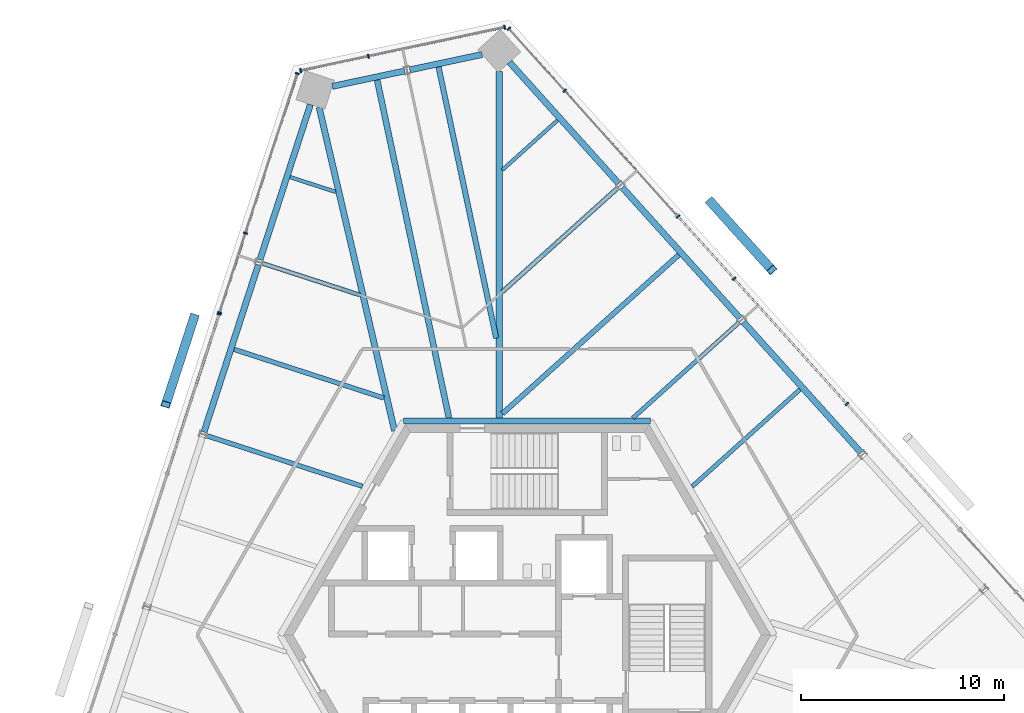
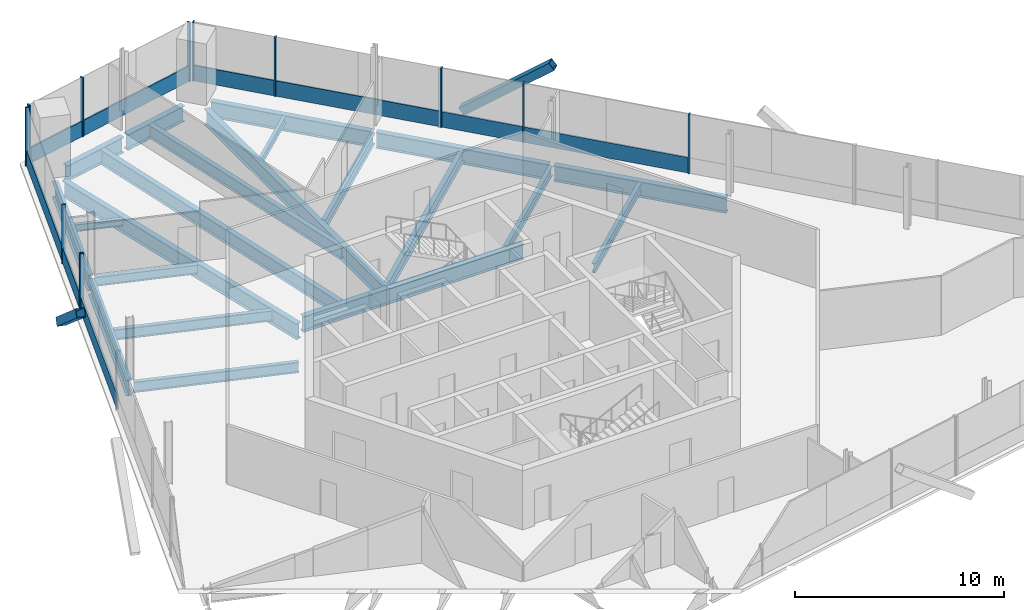
# One storey, part 7 of 15: 23 members, 21 beams, 5 elements without a shape of their own.
"""IFC4 building model written with IfcOpenShell, lengths in metres."""

from ifc_helpers import new_model, si_unit, direction, frame, origin, origin_2d, place, context, subcontext, project, spatial, rectangle, hollow_rectangle, i_section, extrude, source, transform, mapped, material, material_profile, profile_set, type_object, element, aggregate, save


model = new_model("IFC4")

# Units and contexts
model_context = context("Model", 3, precision=1e-05, world=origin(), true_north=direction((0.0, 1.0)))
body_context = subcontext(model_context, "Body", "Model", "MODEL_VIEW")
ifc_project = project(units=[si_unit("LENGTHUNIT", "METRE"), si_unit("AREAUNIT", "SQUARE_METRE"), si_unit("VOLUMEUNIT", "CUBIC_METRE"), si_unit("PLANEANGLEUNIT", "RADIAN"), si_unit("MASSUNIT", "GRAM", prefix="KILO")], contexts=[model_context])

# Site, building, storey
site_placement = place(None, origin())
site = spatial("IfcSite", under=ifc_project, at=site_placement, CompositionType="ELEMENT")
building_placement = place(site_placement, origin())
building = spatial("IfcBuilding", under=site, at=building_placement, Name="Triune Harvest Tower", CompositionType="ELEMENT")
storey_placement = place(building_placement, frame((0.0, 0.0, 270.300048828125)))
storey = spatial("IfcBuildingStorey", under=building, at=storey_placement, Name="L71", CompositionType="ELEMENT", Elevation=270.300048828125)

# Beams
ifc_material_1 = material(Name="Steel ASTM A992 Gr 50", Category="steel")
ifc_material_profile_1 = material_profile(ifc_material_1, i_section(OverallWidth=0.3046875, OverallDepth=0.914306640625, WebThickness=0.0166015625, FlangeThickness=0.02587890625, at=origin_2d()), Name="W36x160")
ifc_profile_set_1 = profile_set([ifc_material_profile_1], Name="Steel ASTM A992 Gr 50")
beam_type_1 = type_object("IfcBeamType", Name="CG-1 Core ring girder W36x160", PredefinedType="BEAM", material=ifc_profile_set_1)
shared_shape_1 = source(origin(), body_context, "Body", "SweptSolid", [
    extrude(i_section(OverallWidth=0.3046875, OverallDepth=0.914306640625, WebThickness=0.0166015625, FlangeThickness=0.02587890625, at=origin_2d()), origin(), (0.0, 0.0, 1.0), 12.17578125),
])
beam_1_placement = place(storey_placement, frame((6.087890625, 10.544677734375, -0.6171875), z_axis=(-1.0, 0.0, 0.0), x_axis=(0.0, -1.0, 0.0)))
element("IfcBeam", 1, at=beam_1_placement, inside=storey, type_object=beam_type_1, Name="beam/L71/CG2", PredefinedType="BEAM", context=body_context, shape_type="MappedRepresentation", body=[
    mapped(shared_shape_1, transform((0.0, 0.0, 0.0), scale=1.0)),
])
ifc_material_2 = material(Name="Steel ASTM A992 Gr 50", Category="steel")
ifc_material_profile_2 = material_profile(ifc_material_2, i_section(OverallWidth=0.3046875, OverallDepth=0.914306640625, WebThickness=0.0166015625, FlangeThickness=0.02587890625, at=origin_2d()), Name="W36x160")
ifc_profile_set_2 = profile_set([ifc_material_profile_2], Name="Steel ASTM A992 Gr 50")
beam_type_2 = type_object("IfcBeamType", Name="SB-1 Spandrel beam W36x160", PredefinedType="SPANDREL", material=ifc_profile_set_2)
shared_shape_2 = source(origin(), body_context, "Body", "SweptSolid", [
    extrude(i_section(OverallWidth=0.3046875, OverallDepth=0.914306640625, WebThickness=0.0166015625, FlangeThickness=0.02587890625, at=origin_2d()), origin(), (0.0, 0.0, 1.0), 8.0498046875),
])
for number, where, z_axis, x_axis, name in (
    (2, (4.511474609375, 22.25537109375, -0.6171875), (-0.669152382485, 0.743125217588, 0.0), (-0.743125217588, -0.669152382485, 0.0), "beam/L71/SB5"),
    (3, (-10.685791015625, 26.152099609375, -0.6171875), (-0.30902160762, -0.951055017348, 0.0), (0.951055017348, -0.30902160762, 0.0), "beam/L71/SB8"),
):
    element("IfcBeam", number, at=place(storey_placement, frame(where, z_axis=z_axis, x_axis=x_axis)), inside=storey, type_object=beam_type_2, Name=name, PredefinedType="SPANDREL", context=body_context, shape_type="MappedRepresentation", body=[
        mapped(shared_shape_2, transform((0.0, 0.0, 0.0), scale=1.0)),
    ])
shared_shape_3 = source(origin(), body_context, "Body", "SweptSolid", [
    extrude(i_section(OverallWidth=0.3046875, OverallDepth=0.914306640625, WebThickness=0.0166015625, FlangeThickness=0.02587890625, at=origin_2d()), origin(), (0.0, 0.0, 1.0), 8.671630859375),
])
beam_2_placement = place(storey_placement, frame((16.45947265625, 8.985595703125, -0.6171875), z_axis=(-0.669129593336, 0.743145737606, 0.0), x_axis=(-0.743145737606, -0.669129593336, 0.0)))
element("IfcBeam", 4, at=beam_2_placement, inside=storey, type_object=beam_type_2, Name="beam/L71/SB3", PredefinedType="SPANDREL", context=body_context, shape_type="MappedRepresentation", body=[
    mapped(shared_shape_3, transform((0.0, 0.0, 0.0), scale=1.0)),
])
shared_shape_4 = source(origin(), body_context, "Body", "SweptSolid", [
    extrude(i_section(OverallWidth=0.3046875, OverallDepth=0.914306640625, WebThickness=0.0166015625, FlangeThickness=0.02587890625, at=origin_2d()), origin(), (0.0, 0.0, 1.0), 8.67138671875),
])
for number, where, z_axis, x_axis, name in (
    (5, (10.4853515625, 15.62060546875, -0.6171875), (-0.669128044683, 0.743147132013, 0.0), (-0.743147132013, -0.669128044683, 0.0), "beam/L71/SB4"),
    (6, (-13.252685546875, 18.25244140625, -0.6171875), (-0.309022409974, -0.951054756643, 0.0), (0.951054756643, -0.309022409974, 0.0), "beam/L71/SB9"),
):
    element("IfcBeam", number, at=place(storey_placement, frame(where, z_axis=z_axis, x_axis=x_axis)), inside=storey, type_object=beam_type_2, Name=name, PredefinedType="SPANDREL", context=body_context, shape_type="MappedRepresentation", body=[
        mapped(shared_shape_4, transform((0.0, 0.0, 0.0), scale=1.0)),
    ])
shared_shape_5 = source(origin(), body_context, "Body", "SweptSolid", [
    extrude(i_section(OverallWidth=0.3046875, OverallDepth=0.914306640625, WebThickness=0.0166015625, FlangeThickness=0.02587890625, at=origin_2d()), origin(), (0.0, 0.0, 1.0), 3.645751953125),
])
beam_3_placement = place(storey_placement, frame((-2.223876953125, 28.61474609375, -0.6171875), z_axis=(-0.978145063506, -0.207923627178, 0.0), x_axis=(0.207923627178, -0.978145063506, 0.0)))
element("IfcBeam", 7, at=beam_3_placement, inside=storey, type_object=beam_type_2, Name="beam/L71/SB6", PredefinedType="SPANDREL", context=body_context, shape_type="MappedRepresentation", body=[
    mapped(shared_shape_5, transform((0.0, 0.0, 0.0), scale=1.0)),
])
shared_shape_6 = source(origin(), body_context, "Body", "SweptSolid", [
    extrude(i_section(OverallWidth=0.3046875, OverallDepth=0.914306640625, WebThickness=0.0166015625, FlangeThickness=0.02587890625, at=origin_2d()), origin(), (0.0, 0.0, 1.0), 3.6455078125),
])
beam_4_placement = place(storey_placement, frame((-6.041015625, 27.803466796875, -0.6171875), z_axis=(-0.978142168213, -0.207937247179, 0.0), x_axis=(0.207937247179, -0.978142168213, 0.0)))
element("IfcBeam", 8, at=beam_4_placement, inside=storey, type_object=beam_type_2, Name="beam/L71/SB7", PredefinedType="SPANDREL", context=body_context, shape_type="MappedRepresentation", body=[
    mapped(shared_shape_6, transform((0.0, 0.0, 0.0), scale=1.0)),
])
ifc_material_3 = material(Name="Steel ASTM A992 Gr 50", Category="steel")
ifc_material_profile_3 = material_profile(ifc_material_3, i_section(OverallWidth=0.3046875, OverallDepth=0.914306640625, WebThickness=0.0166015625, FlangeThickness=0.02587890625, at=origin_2d()), Name="W36x160")
ifc_profile_set_3 = profile_set([ifc_material_profile_3], Name="Steel ASTM A992 Gr 50")
beam_type_3 = type_object("IfcBeamType", Name="HG-3 Hip girder W36x160", PredefinedType="BEAM", material=ifc_profile_set_3)
shared_shape_7 = source(origin(), body_context, "Body", "SweptSolid", [
    extrude(i_section(OverallWidth=0.3046875, OverallDepth=0.914306640625, WebThickness=0.0166015625, FlangeThickness=0.02587890625, at=origin_2d()), origin(), (0.0, 0.0, 1.0), 17.088623046875),
])
beam_5_placement = place(storey_placement, frame((-1.376708984375, 27.78564453125, -0.6171875), z_axis=(0.0, -1.0, 0.0), x_axis=(1.0, 0.0, 0.0)))
element("IfcBeam", 9, at=beam_5_placement, inside=storey, type_object=beam_type_3, Name="beam/L71/HG2", PredefinedType="BEAM", context=body_context, shape_type="MappedRepresentation", body=[
    mapped(shared_shape_7, transform((0.0, 0.0, 0.0), scale=1.0)),
])
shared_shape_8 = source(origin(), body_context, "Body", "SweptSolid", [
    extrude(i_section(OverallWidth=0.3046875, OverallDepth=0.914306640625, WebThickness=0.0166015625, FlangeThickness=0.02587890625, at=origin_2d()), origin(), (0.0, 0.0, 1.0), 16.37060546875),
])
beam_6_placement = place(storey_placement, frame((-10.255126953125, 26.01220703125, -0.6171875), z_axis=(0.227026417792, -0.973888600213, 0.0), x_axis=(0.973888600213, 0.227026417792, 0.0)))
element("IfcBeam", 10, at=beam_6_placement, inside=storey, type_object=beam_type_3, Name="beam/L71/HG3", PredefinedType="BEAM", context=body_context, shape_type="MappedRepresentation", body=[
    mapped(shared_shape_8, transform((0.0, 0.0, 0.0), scale=1.0)),
])
ifc_material_4 = material(Name="Steel ASTM A992 Gr 50", Category="steel")
ifc_material_profile_4 = material_profile(ifc_material_4, i_section(OverallWidth=0.22900390625, OverallDepth=0.612060546875, WebThickness=0.011962890625, FlangeThickness=0.01953125, at=origin_2d()), Name="W24x84")
ifc_profile_set_4 = profile_set([ifc_material_profile_4], Name="Steel ASTM A992 Gr 50")
beam_type_4 = type_object("IfcBeamType", Name="JT-3 Floor joist W24x84", PredefinedType="JOIST", material=ifc_profile_set_4)
shared_shape_9 = source(origin(), body_context, "Body", "SweptSolid", [
    extrude(i_section(OverallWidth=0.22900390625, OverallDepth=0.612060546875, WebThickness=0.011962890625, FlangeThickness=0.01953125, at=origin_2d()), origin(), (0.0, 0.0, 1.0), 7.755126953125),
])
beam_7_placement = place(storey_placement, frame((-14.447509765625, 14.081787109375, -0.466064453125), z_axis=(0.951054888115, -0.309022005354, 0.0), x_axis=(0.309022005354, 0.951054888115, 0.0)))
element("IfcBeam", 11, at=beam_7_placement, inside=storey, type_object=beam_type_4, Name="beam/L71/JT14", PredefinedType="JOIST", context=body_context, shape_type="MappedRepresentation", body=[
    mapped(shared_shape_9, transform((0.0, 0.0, 0.0), scale=1.0)),
])
ifc_material_5 = material(Name="Steel ASTM A992 Gr 50", Category="steel")
ifc_material_profile_5 = material_profile(ifc_material_5, i_section(OverallWidth=0.2099609375, OverallDepth=0.535888671875, WebThickness=0.010986328125, FlangeThickness=0.017333984375, at=origin_2d()), Name="W21x68")
ifc_profile_set_5 = profile_set([ifc_material_profile_5], Name="Steel ASTM A992 Gr 50")
beam_type_5 = type_object("IfcBeamType", Name="JT-2 Floor joist W21x68", PredefinedType="JOIST", material=ifc_profile_set_5)
shared_shape_10 = source(origin(), body_context, "Body", "SweptSolid", [
    extrude(i_section(OverallWidth=0.2099609375, OverallDepth=0.535888671875, WebThickness=0.010986328125, FlangeThickness=0.017333984375, at=origin_2d()), origin(), (0.0, 0.0, 1.0), 7.155517578125),
])
beam_8_placement = place(storey_placement, frame((13.44482421875, 12.105712890625, -0.427978515625), z_axis=(-0.743139743978, -0.669136249892, 0.0), x_axis=(0.669136249892, -0.743139743978, 0.0)))
element("IfcBeam", 12, at=beam_8_placement, inside=storey, type_object=beam_type_5, Name="beam/L71/JT5", PredefinedType="JOIST", context=body_context, shape_type="MappedRepresentation", body=[
    mapped(shared_shape_10, transform((0.0, 0.0, 0.0), scale=1.0)),
])
shared_shape_11 = source(origin(), body_context, "Body", "SweptSolid", [
    extrude(i_section(OverallWidth=0.2099609375, OverallDepth=0.535888671875, WebThickness=0.010986328125, FlangeThickness=0.017333984375, at=origin_2d()), origin(), (0.0, 0.0, 1.0), 7.035400390625),
])
beam_9_placement = place(storey_placement, frame((10.437255859375, 15.404541015625, -0.427978515625), z_axis=(-0.743147458893, -0.669127681643, 0.0), x_axis=(0.669127681643, -0.743147458893, 0.0)))
element("IfcBeam", 13, at=beam_9_placement, inside=storey, type_object=beam_type_5, Name="beam/L71/JT6", PredefinedType="JOIST", context=body_context, shape_type="MappedRepresentation", body=[
    mapped(shared_shape_11, transform((0.0, 0.0, 0.0), scale=1.0)),
])
ifc_material_6 = material(Name="Steel ASTM A992 Gr 50", Category="steel")
ifc_material_profile_6 = material_profile(ifc_material_6, i_section(OverallWidth=0.253662109375, OverallDepth=0.683349609375, WebThickness=0.012451171875, FlangeThickness=0.01904296875, at=origin_2d()), Name="W27x94")
ifc_profile_set_6 = profile_set([ifc_material_profile_6], Name="Steel ASTM A992 Gr 50")
beam_type_6 = type_object("IfcBeamType", Name="JT-4 Floor joist W27x94", PredefinedType="JOIST", material=ifc_profile_set_6)
shared_shape_12 = source(origin(), body_context, "Body", "SweptSolid", [
    extrude(i_section(OverallWidth=0.253662109375, OverallDepth=0.683349609375, WebThickness=0.012451171875, FlangeThickness=0.01904296875, at=origin_2d()), origin(), (0.0, 0.0, 1.0), 11.70068359375),
])
beam_10_placement = place(storey_placement, frame((7.470947265625, 18.740478515625, -0.501708984375), z_axis=(-0.743153026809, -0.669121497745, 0.0), x_axis=(0.669121497745, -0.743153026809, 0.0)))
element("IfcBeam", 14, at=beam_10_placement, inside=storey, type_object=beam_type_6, Name="beam/L71/JT7", PredefinedType="JOIST", context=body_context, shape_type="MappedRepresentation", body=[
    mapped(shared_shape_12, transform((0.0, 0.0, 0.0), scale=1.0)),
])
shared_shape_13 = source(origin(), body_context, "Body", "SweptSolid", [
    extrude(i_section(OverallWidth=0.22900390625, OverallDepth=0.612060546875, WebThickness=0.011962890625, FlangeThickness=0.01953125, at=origin_2d()), origin(), (0.0, 0.0, 1.0), 7.6533203125),
])
beam_11_placement = place(storey_placement, frame((4.463134765625, 22.039306640625, -0.466064453125), z_axis=(-0.74314185307, -0.669133907537, 0.0), x_axis=(0.669133907537, -0.74314185307, 0.0)))
element("IfcBeam", 15, at=beam_11_placement, inside=storey, type_object=beam_type_4, Name="beam/L71/JT8", PredefinedType="JOIST", context=body_context, shape_type="MappedRepresentation", body=[
    mapped(shared_shape_13, transform((0.0, 0.0, 0.0), scale=1.0)),
])
ifc_material_7 = material(Name="Steel ASTM A992 Gr 50", Category="steel")
ifc_material_profile_7 = material_profile(ifc_material_7, i_section(OverallWidth=0.180908203125, OverallDepth=0.41650390625, WebThickness=0.010986328125, FlangeThickness=0.01806640625, at=origin_2d()), Name="W16x57")
ifc_profile_set_7 = profile_set([ifc_material_profile_7], Name="Steel ASTM A992 Gr 50")
beam_type_7 = type_object("IfcBeamType", Name="JT-1 Floor joist W16x57", PredefinedType="JOIST", material=ifc_profile_set_7)
shared_shape_14 = source(origin(), body_context, "Body", "SweptSolid", [
    extrude(i_section(OverallWidth=0.180908203125, OverallDepth=0.41650390625, WebThickness=0.010986328125, FlangeThickness=0.01806640625, at=origin_2d()), origin(), (0.0, 0.0, 1.0), 3.661865234375),
])
beam_12_placement = place(storey_placement, frame((1.496826171875, 25.37548828125, -0.368408203125), z_axis=(-0.743108471823, -0.669170978977, 0.0), x_axis=(0.669170978977, -0.743108471823, 0.0)))
element("IfcBeam", 16, at=beam_12_placement, inside=storey, type_object=beam_type_7, Name="beam/L71/JT9", PredefinedType="JOIST", context=body_context, shape_type="MappedRepresentation", body=[
    mapped(shared_shape_14, transform((0.0, 0.0, 0.0), scale=1.0)),
])
ifc_material_8 = material(Name="Steel ASTM A992 Gr 50", Category="steel")
ifc_material_profile_8 = material_profile(ifc_material_8, i_section(OverallWidth=0.2666015625, OverallDepth=0.7568359375, WebThickness=0.013916015625, FlangeThickness=0.019287109375, at=origin_2d()), Name="W30x108")
ifc_profile_set_8 = profile_set([ifc_material_profile_8], Name="Steel ASTM A992 Gr 50")
beam_type_8 = type_object("IfcBeamType", Name="JT-5 Floor joist W30x108", PredefinedType="JOIST", material=ifc_profile_set_8)
shared_shape_15 = source(origin(), body_context, "Body", "SweptSolid", [
    extrude(i_section(OverallWidth=0.2666015625, OverallDepth=0.7568359375, WebThickness=0.013916015625, FlangeThickness=0.019287109375, at=origin_2d()), origin(), (0.0, 0.0, 1.0), 13.66796875),
])
beam_13_placement = place(storey_placement, frame((-4.370849609375, 28.002685546875, -0.53857421875), z_axis=(0.207897850023, -0.978150542583, 0.0), x_axis=(0.978150542583, 0.207897850023, 0.0)))
element("IfcBeam", 17, at=beam_13_placement, inside=storey, type_object=beam_type_8, Name="beam/L71/JT10", PredefinedType="JOIST", context=body_context, shape_type="MappedRepresentation", body=[
    mapped(shared_shape_15, transform((0.0, 0.0, 0.0), scale=1.0)),
])
ifc_material_9 = material(Name="Steel ASTM A992 Gr 50", Category="steel")
ifc_material_profile_9 = material_profile(ifc_material_9, i_section(OverallWidth=0.2919921875, OverallDepth=0.8408203125, WebThickness=0.0146484375, FlangeThickness=0.021728515625, at=origin_2d()), Name="W33x130")
ifc_profile_set_9 = profile_set([ifc_material_profile_9], Name="Steel ASTM A992 Gr 50")
beam_type_9 = type_object("IfcBeamType", Name="JT-6 Floor joist W33x130", PredefinedType="JOIST", material=ifc_profile_set_9)
shared_shape_16 = source(origin(), body_context, "Body", "SweptSolid", [
    extrude(i_section(OverallWidth=0.2919921875, OverallDepth=0.8408203125, WebThickness=0.0146484375, FlangeThickness=0.021728515625, at=origin_2d()), origin(), (0.0, 0.0, 1.0), 17.034912109375),
])
beam_14_placement = place(storey_placement, frame((-7.396728515625, 27.359619140625, -0.58056640625), z_axis=(0.207911891923, -0.978147557988, 0.0), x_axis=(0.978147557988, 0.207911891923, 0.0)))
element("IfcBeam", 18, at=beam_14_placement, inside=storey, type_object=beam_type_9, Name="beam/L71/JT11", PredefinedType="JOIST", context=body_context, shape_type="MappedRepresentation", body=[
    mapped(shared_shape_16, transform((0.0, 0.0, 0.0), scale=1.0)),
])
shared_shape_17 = source(origin(), body_context, "Body", "SweptSolid", [
    extrude(i_section(OverallWidth=0.180908203125, OverallDepth=0.41650390625, WebThickness=0.010986328125, FlangeThickness=0.01806640625, at=origin_2d()), origin(), (0.0, 0.0, 1.0), 2.36474609375),
])
beam_15_placement = place(storey_placement, frame((-11.688720703125, 22.57275390625, -0.368408203125), z_axis=(0.951061378221, -0.309002030505, 0.0), x_axis=(0.309002030505, 0.951061378221, 0.0)))
element("IfcBeam", 19, at=beam_15_placement, inside=storey, type_object=beam_type_7, Name="beam/L71/JT12", PredefinedType="JOIST", context=body_context, shape_type="MappedRepresentation", body=[
    mapped(shared_shape_17, transform((0.0, 0.0, 0.0), scale=1.0)),
])
shared_shape_18 = source(origin(), body_context, "Body", "SweptSolid", [
    extrude(i_section(OverallWidth=0.2099609375, OverallDepth=0.535888671875, WebThickness=0.010986328125, FlangeThickness=0.017333984375, at=origin_2d()), origin(), (0.0, 0.0, 1.0), 5.0322265625),
])
beam_16_placement = place(storey_placement, frame((-13.04150390625, 18.318603515625, -0.427978515625), z_axis=(0.951062231031, -0.308999405674, 0.0), x_axis=(0.308999405674, 0.951062231031, 0.0)))
element("IfcBeam", 20, at=beam_16_placement, inside=storey, type_object=beam_type_5, Name="beam/L71/JT13", PredefinedType="JOIST", context=body_context, shape_type="MappedRepresentation", body=[
    mapped(shared_shape_18, transform((0.0, 0.0, 0.0), scale=1.0)),
])
shared_shape_19 = source(origin(), body_context, "Body", "SweptSolid", [
    extrude(i_section(OverallWidth=0.22900390625, OverallDepth=0.612060546875, WebThickness=0.011962890625, FlangeThickness=0.01953125, at=origin_2d()), origin(), (0.0, 0.0, 1.0), 8.07666015625),
])
beam_17_placement = place(storey_placement, frame((-15.80029296875, 9.82763671875, -0.466064453125), z_axis=(0.951056057917, -0.309018405114, 0.0), x_axis=(0.309018405114, 0.951056057917, 0.0)))
element("IfcBeam", 21, at=beam_17_placement, inside=storey, type_object=beam_type_4, Name="beam/L71/JT15", PredefinedType="JOIST", context=body_context, shape_type="MappedRepresentation", body=[
    mapped(shared_shape_19, transform((0.0, 0.0, 0.0), scale=1.0)),
])

# Members
ifc_material_10 = material(Name="Steel ASTM A572 Gr 50", Category="steel")
ifc_material_profile_10 = material_profile(ifc_material_10, hollow_rectangle(XDim=0.449951171875, YDim=0.449951171875, WallThickness=0.02490234375, at=origin_2d()), Name="Box 450x450x25")
ifc_profile_set_10 = profile_set([ifc_material_profile_10], Name="Steel ASTM A572 Gr 50")
member_type_1 = type_object("IfcMemberType", Name="BR-4 Brace Box 450x450x25", PredefinedType="BRACE", material=ifc_profile_set_10)
shared_shape_20 = source(origin(), body_context, "Body", "SweptSolid", [
    extrude(hollow_rectangle(XDim=0.449951171875, YDim=0.449951171875, WallThickness=0.02490234375, at=origin_2d()), origin(), (0.0, 0.0, 1.0), 5.7890625),
])
for number, where, z_axis, x_axis, name in (
    (22, (9.025634765625, 21.3671875, 0.0), (0.52403773596, -0.581982999859, 0.621836183545), (0.743133466604, 0.669143221451, 0.0), "brace/B7-F1/d2/4"),
    (23, (-16.4130859375, 15.678955078125, 0.0), (-0.242028680068, -0.744810684558, 0.621835317582), (0.951047127071, -0.309045889942, 0.0), "brace/B7-F3/d1/4"),
):
    element("IfcMember", number, at=place(storey_placement, frame(where, z_axis=z_axis, x_axis=x_axis)), inside=storey, type_object=member_type_1, Name=name, PredefinedType="BRACE", context=body_context, shape_type="MappedRepresentation", body=[
        mapped(shared_shape_20, transform((0.0, 0.0, 0.0), scale=1.0)),
    ])

# Curtain wall, members
ifc_material_11 = material(Name="Aluminium bronze anodised", Category="aluminium")
curtain_wall_type_1 = type_object("IfcCurtainWallType", Name="CW-7 Tower stick curtain wall with insulated spandrel infill", PredefinedType="NOTDEFINED", material=ifc_material_11)
curtain_wall_1_placement = place(storey_placement, origin())
curtain_wall_1 = element("IfcCurtainWall", 24, at=curtain_wall_1_placement, inside=storey, type_object=curtain_wall_type_1, Name="CW-7 B7-F1 L71 run 1001")
ifc_material_12 = material(Name="Aluminium bronze anodised", Category="aluminium")
ifc_material_profile_11 = material_profile(ifc_material_12, rectangle(XDim=0.199951171875, YDim=0.074951171875, at=origin_2d()), Name="MU-1 mullion 75 x 200")
ifc_profile_set_11 = profile_set([ifc_material_profile_11], Name="Aluminium bronze anodised")
member_type_2 = type_object("IfcMemberType", Name="MU-1 mullion 75 x 200", PredefinedType="MULLION", material=ifc_profile_set_11)
shared_shape_21 = source(origin(), body_context, "Body", "SweptSolid", [
    extrude(rectangle(XDim=0.199951171875, YDim=0.074951171875, at=origin_2d()), origin(), (0.0, 0.0, 1.0), 3.43994140625),
])
member_1_placement = place(storey_placement, frame((15.75537109375, 11.39013671875, 0.0), z_axis=(0.0, 0.0, 1.0), x_axis=(-0.74314408674, -0.669131426809, 0.0)))
member_1 = element("IfcMember", 25, at=member_1_placement, type_object=member_type_2, Name="CW-7 mullion B7-F1 1001.3", PredefinedType="MULLION", context=body_context, shape_type="MappedRepresentation", body=[
    mapped(shared_shape_21, transform((0.0, 0.0, 0.0), scale=1.0)),
])
member_2_placement = place(storey_placement, frame((10.19384765625, 17.566650390625, 0.0), z_axis=(0.0, 0.0, 1.0), x_axis=(-0.74314408674, -0.669131426809, 0.0)))
member_2 = element("IfcMember", 26, at=member_2_placement, type_object=member_type_2, Name="CW-7 mullion B7-F1 1001.5", PredefinedType="MULLION", context=body_context, shape_type="MappedRepresentation", body=[
    mapped(shared_shape_21, transform((0.0, 0.0, 0.0), scale=1.0)),
])
member_3_placement = place(storey_placement, frame((7.438232421875, 20.627197265625, 0.0), z_axis=(0.0, 0.0, 1.0), x_axis=(-0.74314408674, -0.669131426809, 0.0)))
member_3 = element("IfcMember", 27, at=member_3_placement, type_object=member_type_2, Name="CW-7 mullion B7-F1 1001.6", PredefinedType="MULLION", context=body_context, shape_type="MappedRepresentation", body=[
    mapped(shared_shape_21, transform((0.0, 0.0, 0.0), scale=1.0)),
])

ifc_material_13 = material(Name="Aluminium bronze anodised", Category="aluminium")
curtain_wall_type_2 = type_object("IfcCurtainWallType", Name="CW-1 Tower stick curtain wall", PredefinedType="NOTDEFINED", material=ifc_material_13)
curtain_wall_2_placement = place(storey_placement, origin())
curtain_wall_2 = element("IfcCurtainWall", 28, at=curtain_wall_2_placement, inside=storey, type_object=curtain_wall_type_2, Name="CW-1 B7-F1 L71 run 2001")
member_4_placement = place(storey_placement, frame((1.8515625, 26.831787109375, 0.0), z_axis=(0.0, 0.0, 1.0), x_axis=(-0.743144053222, -0.669131464034, 0.0)))
member_4 = element("IfcMember", 29, at=member_4_placement, type_object=member_type_2, Name="CW-1 mullion B7-F1 2001.3", PredefinedType="MULLION", context=body_context, shape_type="MappedRepresentation", body=[
    mapped(shared_shape_21, transform((0.0, 0.0, 0.0), scale=1.0)),
])
member_5_placement = place(storey_placement, frame((-0.904052734375, 29.892333984375, 0.0), z_axis=(0.0, 0.0, 1.0), x_axis=(-0.743144053222, -0.669131464034, 0.0)))
member_5 = element("IfcMember", 30, at=member_5_placement, type_object=member_type_2, Name="CW-1 mullion B7-F1 2001.4", PredefinedType="MULLION", context=body_context, shape_type="MappedRepresentation", body=[
    mapped(shared_shape_21, transform((0.0, 0.0, 0.0), scale=1.0)),
])

curtain_wall_3_placement = place(storey_placement, origin())
curtain_wall_3 = element("IfcCurtainWall", 31, at=curtain_wall_3_placement, inside=storey, type_object=curtain_wall_type_2, Name="CW-1 B7-F2 L71 run 1")
member_6_placement = place(storey_placement, frame((-1.114013671875, 29.96044921875, 0.0), z_axis=(0.0, 0.0, 1.0), x_axis=(0.207904739307, -0.978149078297, 0.0)))
member_6 = element("IfcMember", 32, at=member_6_placement, type_object=member_type_2, Name="CW-1 mullion B7-F2 1.1", PredefinedType="MULLION", context=body_context, shape_type="MappedRepresentation", body=[
    mapped(shared_shape_21, transform((0.0, 0.0, 0.0), scale=1.0)),
])
member_7_placement = place(storey_placement, frame((-7.8291015625, 28.533203125, 0.0), z_axis=(0.0, 0.0, 1.0), x_axis=(0.207904739307, -0.978149078297, 0.0)))
member_7 = element("IfcMember", 33, at=member_7_placement, type_object=member_type_2, Name="CW-1 mullion B7-F2 1.3", PredefinedType="MULLION", context=body_context, shape_type="MappedRepresentation", body=[
    mapped(shared_shape_21, transform((0.0, 0.0, 0.0), scale=1.0)),
])
member_8_placement = place(storey_placement, frame((-11.168212890625, 27.823486328125, 0.0), z_axis=(0.0, 0.0, 1.0), x_axis=(0.207904739307, -0.978149078297, 0.0)))
member_8 = element("IfcMember", 34, at=member_8_placement, type_object=member_type_2, Name="CW-1 mullion B7-F2 1.4", PredefinedType="MULLION", context=body_context, shape_type="MappedRepresentation", body=[
    mapped(shared_shape_21, transform((0.0, 0.0, 0.0), scale=1.0)),
])

curtain_wall_4_placement = place(storey_placement, origin())
curtain_wall_4 = element("IfcCurtainWall", 35, at=curtain_wall_4_placement, inside=storey, type_object=curtain_wall_type_2, Name="CW-1 B7-F3 L71 run 1")
member_9_placement = place(storey_placement, frame((-11.332275390625, 27.67578125, 0.0), z_axis=(0.0, 0.0, 1.0), x_axis=(0.951057715783, -0.309013302707, 0.0)))
member_9 = element("IfcMember", 36, at=member_9_placement, type_object=member_type_2, Name="CW-1 mullion B7-F3 1.1", PredefinedType="MULLION", context=body_context, shape_type="MappedRepresentation", body=[
    mapped(shared_shape_21, transform((0.0, 0.0, 0.0), scale=1.0)),
])
member_10_placement = place(storey_placement, frame((-13.88916015625, 19.806640625, 0.0), z_axis=(0.0, 0.0, 1.0), x_axis=(0.951057715783, -0.309013302707, 0.0)))
member_10 = element("IfcMember", 37, at=member_10_placement, type_object=member_type_2, Name="CW-1 mullion B7-F3 1.3", PredefinedType="MULLION", context=body_context, shape_type="MappedRepresentation", body=[
    mapped(shared_shape_21, transform((0.0, 0.0, 0.0), scale=1.0)),
])
member_11_placement = place(storey_placement, frame((-15.16162109375, 15.889892578125, 0.0), z_axis=(0.0, 0.0, 1.0), x_axis=(0.951057715783, -0.309013302707, 0.0)))
member_11 = element("IfcMember", 38, at=member_11_placement, type_object=member_type_2, Name="CW-1 mullion B7-F3 1.4", PredefinedType="MULLION", context=body_context, shape_type="MappedRepresentation", body=[
    mapped(shared_shape_21, transform((0.0, 0.0, 0.0), scale=1.0)),
])

# Curtain wall, member
curtain_wall_5_placement = place(storey_placement, origin())
curtain_wall_5 = element("IfcCurtainWall", 39, at=curtain_wall_5_placement, inside=storey, type_object=curtain_wall_type_1, Name="CW-7 B7-F3 L71 run 1001")
member_12_placement = place(storey_placement, frame((-15.184814453125, 15.818603515625, 0.0), z_axis=(0.0, 0.0, 1.0), x_axis=(0.951055533932, -0.309020017761, 0.0)))
member_12 = element("IfcMember", 40, at=member_12_placement, type_object=member_type_2, Name="CW-7 mullion B7-F3 1001.1", PredefinedType="MULLION", context=body_context, shape_type="MappedRepresentation", body=[
    mapped(shared_shape_21, transform((0.0, 0.0, 0.0), scale=1.0)),
])

# Member
ifc_material_14 = material(Name="Aluminium bronze anodised", Category="aluminium")
ifc_material_profile_12 = material_profile(ifc_material_14, rectangle(XDim=0.090087890625, YDim=0.89990234375, at=origin_2d()), Name="TR-1 transom 90 x 900")
ifc_profile_set_12 = profile_set([ifc_material_profile_12], Name="Aluminium bronze anodised")
member_type_3 = type_object("IfcMemberType", Name="TR-1 transom 90 x 900", PredefinedType="USERDEFINED", material=ifc_profile_set_12)
shared_shape_22 = source(origin(), body_context, "Body", "SweptSolid", [
    extrude(rectangle(XDim=0.090087890625, YDim=0.89990234375, at=origin_2d()), origin(), (0.0, 0.0, 1.0), 6.7900390625),
])
member_13_placement = place(storey_placement, frame((-1.15087890625, 29.95263671875, 0.449951171875), z_axis=(-0.978150442975, -0.207898318677, 0.0), x_axis=(0.207898318677, -0.978150442975, 0.0)))
member_13 = element("IfcMember", 41, at=member_13_placement, type_object=member_type_3, Name="CW-1 transom B7-F2 1.1", ObjectType="TRANSOM", PredefinedType="USERDEFINED", context=body_context, shape_type="MappedRepresentation", body=[
    mapped(shared_shape_22, transform((0.0, 0.0, 0.0), scale=1.0)),
])

shared_shape_23 = source(origin(), body_context, "Body", "SweptSolid", [
    extrude(rectangle(XDim=0.090087890625, YDim=0.89990234375, at=origin_2d()), origin(), (0.0, 0.0, 1.0), 3.3388671875),
])
member_14_placement = place(storey_placement, frame((-7.86572265625, 28.525390625, 0.449951171875), z_axis=(-0.978153089547, -0.207885866306, 0.0), x_axis=(0.207885866306, -0.978153089547, 0.0)))
member_14 = element("IfcMember", 42, at=member_14_placement, type_object=member_type_3, Name="CW-1 transom B7-F2 1.2", ObjectType="TRANSOM", PredefinedType="USERDEFINED", context=body_context, shape_type="MappedRepresentation", body=[
    mapped(shared_shape_23, transform((0.0, 0.0, 0.0), scale=1.0)),
])

aggregate(curtain_wall_3, [member_6, member_7, member_8, member_13, member_14])

shared_shape_24 = source(origin(), body_context, "Body", "SweptSolid", [
    extrude(rectangle(XDim=0.090087890625, YDim=0.89990234375, at=origin_2d()), origin(), (0.0, 0.0, 1.0), 8.198974609375),
])
member_15_placement = place(storey_placement, frame((7.363037109375, 20.7109375, 0.449951171875), z_axis=(-0.669140740537, 0.743135700497, 0.0), x_axis=(-0.743135700497, -0.669140740537, 0.0)))
member_15 = element("IfcMember", 43, at=member_15_placement, type_object=member_type_3, Name="CW-1 transom B7-F1 2001.1", ObjectType="TRANSOM", PredefinedType="USERDEFINED", context=body_context, shape_type="MappedRepresentation", body=[
    mapped(shared_shape_24, transform((0.0, 0.0, 0.0), scale=1.0)),
])

member_16_placement = place(storey_placement, frame((-11.343994140625, 27.64013671875, 0.449951171875), z_axis=(-0.308991809103, -0.951064699117, 0.0), x_axis=(0.951064699117, -0.308991809103, 0.0)))
member_16 = element("IfcMember", 44, at=member_16_placement, type_object=member_type_3, Name="CW-1 transom B7-F3 1.1", ObjectType="TRANSOM", PredefinedType="USERDEFINED", context=body_context, shape_type="MappedRepresentation", body=[
    mapped(shared_shape_24, transform((0.0, 0.0, 0.0), scale=1.0)),
])

shared_shape_25 = source(origin(), body_context, "Body", "SweptSolid", [
    extrude(rectangle(XDim=0.090087890625, YDim=0.89990234375, at=origin_2d()), origin(), (0.0, 0.0, 1.0), 4.043212890625),
])
member_17_placement = place(storey_placement, frame((10.168701171875, 17.5947265625, 0.449951171875), z_axis=(-0.669121516472, 0.743153009947, 0.0), x_axis=(-0.743153009947, -0.669121516472, 0.0)))
member_17 = element("IfcMember", 45, at=member_17_placement, type_object=member_type_3, Name="CW-7 transom B7-F1 1001.3", ObjectType="TRANSOM", PredefinedType="USERDEFINED", context=body_context, shape_type="MappedRepresentation", body=[
    mapped(shared_shape_25, transform((0.0, 0.0, 0.0), scale=1.0)),
])

member_18_placement = place(storey_placement, frame((1.826416015625, 26.859619140625, 0.449951171875), z_axis=(-0.669091490458, 0.743180043729, 0.0), x_axis=(-0.743180043729, -0.669091490458, 0.0)))
member_18 = element("IfcMember", 46, at=member_18_placement, type_object=member_type_3, Name="CW-1 transom B7-F1 2001.2", ObjectType="TRANSOM", PredefinedType="USERDEFINED", context=body_context, shape_type="MappedRepresentation", body=[
    mapped(shared_shape_25, transform((0.0, 0.0, 0.0), scale=1.0)),
])

aggregate(curtain_wall_2, [member_4, member_5, member_15, member_18])

shared_shape_26 = source(origin(), body_context, "Body", "SweptSolid", [
    extrude(rectangle(XDim=0.090087890625, YDim=0.89990234375, at=origin_2d()), origin(), (0.0, 0.0, 1.0), 8.19921875),
])
member_19_placement = place(storey_placement, frame((-15.196533203125, 15.782958984375, 0.449951171875), z_axis=(-0.309018742385, -0.951055948331, 0.0), x_axis=(0.951055948331, -0.309018742385, 0.0)))
member_19 = element("IfcMember", 47, at=member_19_placement, type_object=member_type_3, Name="CW-7 transom B7-F3 1001.1", ObjectType="TRANSOM", PredefinedType="USERDEFINED", context=body_context, shape_type="MappedRepresentation", body=[
    mapped(shared_shape_26, transform((0.0, 0.0, 0.0), scale=1.0)),
])

aggregate(curtain_wall_5, [member_12, member_19])

shared_shape_27 = source(origin(), body_context, "Body", "SweptSolid", [
    extrude(rectangle(XDim=0.090087890625, YDim=0.89990234375, at=origin_2d()), origin(), (0.0, 0.0, 1.0), 4.04345703125),
])
member_20_placement = place(storey_placement, frame((-13.900634765625, 19.77099609375, 0.449951171875), z_axis=(-0.309027363751, -0.951053147018, 0.0), x_axis=(0.951053147018, -0.309027363751, 0.0)))
member_20 = element("IfcMember", 48, at=member_20_placement, type_object=member_type_3, Name="CW-1 transom B7-F3 1.2", ObjectType="TRANSOM", PredefinedType="USERDEFINED", context=body_context, shape_type="MappedRepresentation", body=[
    mapped(shared_shape_27, transform((0.0, 0.0, 0.0), scale=1.0)),
])

aggregate(curtain_wall_4, [member_9, member_10, member_11, member_16, member_20])

shared_shape_28 = source(origin(), body_context, "Body", "SweptSolid", [
    extrude(rectangle(XDim=0.090087890625, YDim=0.89990234375, at=origin_2d()), origin(), (0.0, 0.0, 1.0), 8.236328125),
])
member_21_placement = place(storey_placement, frame((15.730224609375, 11.41796875, 0.449951171875), z_axis=(-0.669130118621, 0.743145264638, 0.0), x_axis=(-0.743145264638, -0.669130118621, 0.0)))
member_21 = element("IfcMember", 49, at=member_21_placement, type_object=member_type_3, Name="CW-7 transom B7-F1 1001.2", ObjectType="TRANSOM", PredefinedType="USERDEFINED", context=body_context, shape_type="MappedRepresentation", body=[
    mapped(shared_shape_28, transform((0.0, 0.0, 0.0), scale=1.0)),
])

aggregate(curtain_wall_1, [member_1, member_2, member_3, member_21, member_17])

save(model, "model.ifc")
